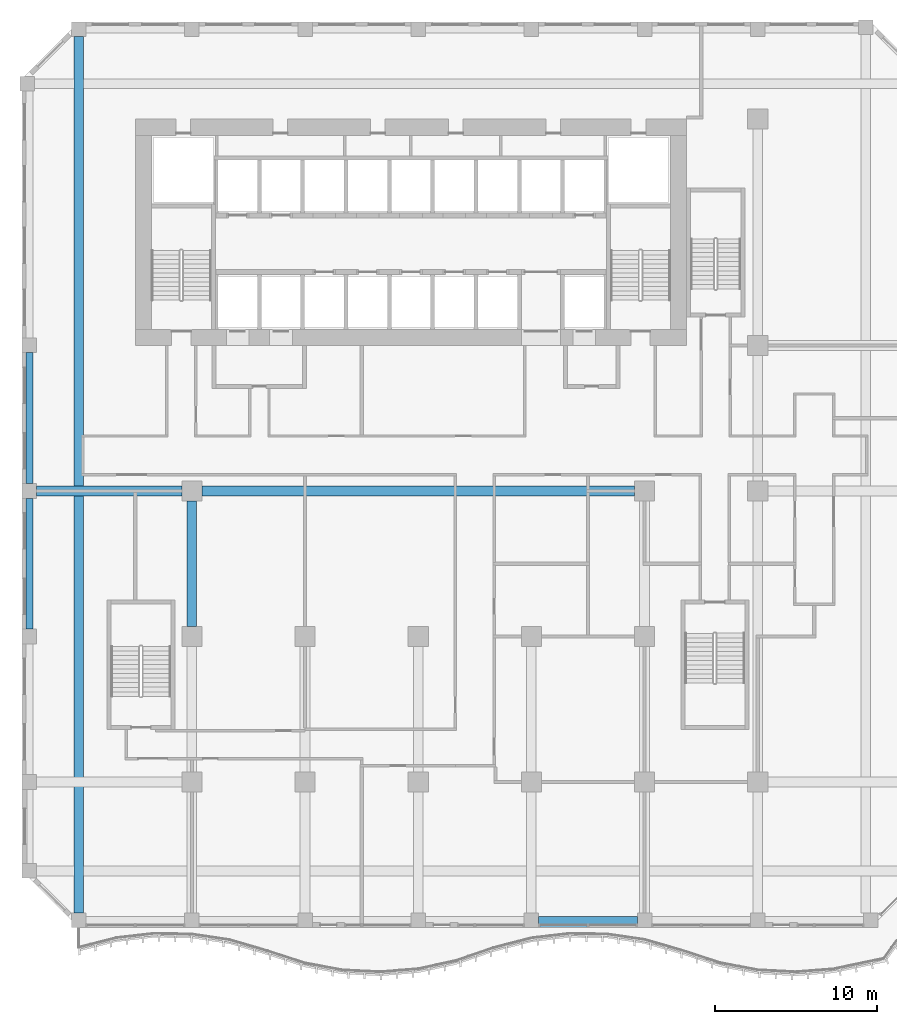
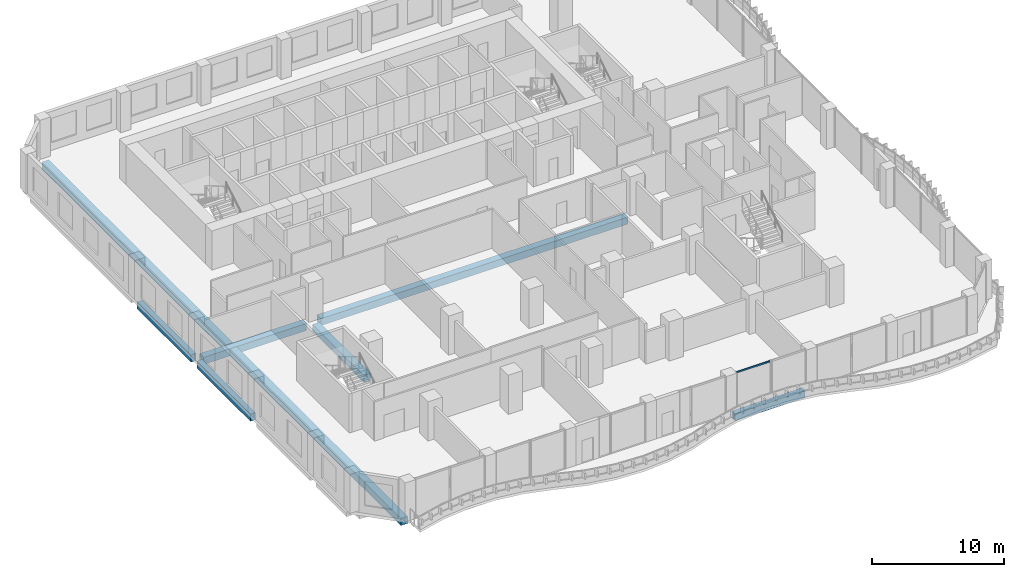
# One storey, part 5 of 21: 7 beams, 1 member, 1 element without a shape of its own.
"""IFC4 building model written with IfcOpenShell, lengths in metres."""

from ifc_helpers import new_model, si_unit, direction, frame, origin, origin_2d, place, context, subcontext, project, spatial, rectangle, extrude, source, transform, mapped, material, material_profile, profile_set, type_object, element, aggregate, save


model = new_model("IFC4")

# Units and contexts
model_context = context("Model", 3, precision=1e-05, world=origin(), true_north=direction((0.0, 1.0)))
body_context = subcontext(model_context, "Body", "Model", "MODEL_VIEW")
ifc_project = project(units=[si_unit("LENGTHUNIT", "METRE"), si_unit("AREAUNIT", "SQUARE_METRE"), si_unit("VOLUMEUNIT", "CUBIC_METRE"), si_unit("PLANEANGLEUNIT", "RADIAN"), si_unit("MASSUNIT", "GRAM", prefix="KILO")], contexts=[model_context])

# Site, building, storey
site_placement = place(None, origin())
site = spatial("IfcSite", under=ifc_project, at=site_placement, CompositionType="ELEMENT")
building_placement = place(site_placement, origin())
building = spatial("IfcBuilding", under=site, at=building_placement, Name="Kilnfold Tower and Market Hall", CompositionType="ELEMENT")
storey_placement = place(building_placement, frame((0.0, 0.0, 91.199951171875)))
storey = spatial("IfcBuildingStorey", under=building, at=storey_placement, Name="L21", CompositionType="ELEMENT", Elevation=91.199951171875)

# Beams
ifc_material_1 = material(Name="Concrete C45", Category="concrete")
ifc_material_profile_1 = material_profile(ifc_material_1, rectangle(XDim=0.449951171875, YDim=0.64990234375, at=origin_2d()), Name="RC 450x650")
ifc_profile_set_1 = profile_set([ifc_material_profile_1], Name="Concrete C45")
beam_type_1 = type_object("IfcBeamType", Name="EDGE BEAM 450X650 C45", PredefinedType="BEAM", material=ifc_profile_set_1)
shared_shape_1 = source(origin(), body_context, "Body", "SweptSolid", [
    extrude(rectangle(XDim=0.449951171875, YDim=0.64990234375, at=origin_2d()), origin(), (0.0, 0.0, 1.0), 6.10009765625),
])
beam_1_placement = place(storey_placement, frame((8.949951171875, -27.550048828125, -0.60498046875), z_axis=(1.0, 0.0, 0.0), x_axis=(0.0, 1.0, 0.0)))
element("IfcBeam", 1, at=beam_1_placement, inside=storey, type_object=beam_type_1, Name="Beam EB650-B2.64", PredefinedType="BEAM", context=body_context, shape_type="MappedRepresentation", body=[
    mapped(shared_shape_1, transform((0.0, 0.0, 0.0))),
])
shared_shape_2 = source(origin(), body_context, "Body", "SweptSolid", [
    extrude(rectangle(XDim=0.449951171875, YDim=0.64990234375, at=origin_2d()), origin(), (0.0, 0.0, 1.0), 8.10009765625),
])
for number, where, z_axis, x_axis, name in (
    (2, (-22.550048828125, -9.550048828125, -0.60498046875), (0.0, 1.0, 0.0), (-1.0, 0.0, 0.0), "Beam EB650-B2.39"),
    (3, (-22.550048828125, -0.550048828125, -0.60498046875), (0.0, 1.0, 0.0), (-1.0, 0.0, 0.0), "Beam EB650-B2.40"),
):
    element("IfcBeam", number, at=place(storey_placement, frame(where, z_axis=z_axis, x_axis=x_axis)), inside=storey, type_object=beam_type_1, Name=name, PredefinedType="BEAM", context=body_context, shape_type="MappedRepresentation", body=[
        mapped(shared_shape_2, transform((0.0, 0.0, 0.0))),
    ])
ifc_material_2 = material(Name="Concrete C45", Category="concrete")
ifc_material_profile_2 = material_profile(ifc_material_2, rectangle(XDim=0.60009765625, YDim=0.64990234375, at=origin_2d()), Name="RC 600x650")
ifc_profile_set_2 = profile_set([ifc_material_profile_2], Name="Concrete C45")
beam_type_2 = type_object("IfcBeamType", Name="BEAM 600X650 C45", PredefinedType="BEAM", material=ifc_profile_set_2)
shared_shape_3 = source(origin(), body_context, "Body", "SweptSolid", [
    extrude(rectangle(XDim=0.60009765625, YDim=0.64990234375, at=origin_2d()), origin(), (0.0, 0.0, 1.0), 54.2001953125),
])
beam_2_placement = place(storey_placement, frame((-19.5, -27.10009765625, -0.60498046875), z_axis=(0.0, 1.0, 0.0), x_axis=(-1.0, 0.0, 0.0)))
element("IfcBeam", 4, at=beam_2_placement, inside=storey, type_object=beam_type_2, Name="Beam BB650-B2.42", PredefinedType="BEAM", context=body_context, shape_type="MappedRepresentation", body=[
    mapped(shared_shape_3, transform((0.0, 0.0, 0.0))),
])
shared_shape_4 = source(origin(), body_context, "Body", "SweptSolid", [
    extrude(rectangle(XDim=0.60009765625, YDim=0.64990234375, at=origin_2d()), origin(), (0.0, 0.0, 1.0), 8.97509765625),
])
beam_3_placement = place(storey_placement, frame((-22.10009765625, -1.0, -0.60498046875), z_axis=(1.0, 0.0, 0.0), x_axis=(0.0, 1.0, 0.0)))
element("IfcBeam", 5, at=beam_3_placement, inside=storey, type_object=beam_type_2, Name="Beam BB650-B2.70", PredefinedType="BEAM", context=body_context, shape_type="MappedRepresentation", body=[
    mapped(shared_shape_4, transform((0.0, 0.0, 0.0))),
])
shared_shape_5 = source(origin(), body_context, "Body", "SweptSolid", [
    extrude(rectangle(XDim=0.60009765625, YDim=0.64990234375, at=origin_2d()), origin(), (0.0, 0.0, 1.0), 26.75),
])
beam_4_placement = place(storey_placement, frame((-11.875, -1.0, -0.60498046875), z_axis=(1.0, 0.0, 0.0), x_axis=(0.0, 1.0, 0.0)))
element("IfcBeam", 6, at=beam_4_placement, inside=storey, type_object=beam_type_2, Name="Beam BB650-B2.71", PredefinedType="BEAM", context=body_context, shape_type="MappedRepresentation", body=[
    mapped(shared_shape_5, transform((0.0, 0.0, 0.0))),
])
shared_shape_6 = source(origin(), body_context, "Body", "SweptSolid", [
    extrude(rectangle(XDim=0.60009765625, YDim=0.64990234375, at=origin_2d()), origin(), (0.0, 0.0, 1.0), 7.75),
])
beam_5_placement = place(storey_placement, frame((-12.5, -9.375, -0.60498046875), z_axis=(0.0, 1.0, 0.0), x_axis=(-1.0, 0.0, 0.0)))
element("IfcBeam", 7, at=beam_5_placement, inside=storey, type_object=beam_type_2, Name="Beam BB650-B2.84", PredefinedType="BEAM", context=body_context, shape_type="MappedRepresentation", body=[
    mapped(shared_shape_6, transform((0.0, 0.0, 0.0))),
])

# Curtain wall, member
ifc_material_3 = material(Name="Aluminium and double glazing", Category="aluminium")
curtain_wall_type = type_object("IfcCurtainWallType", Name="CW OF1 VALLEY GLAZING", PredefinedType="NOTDEFINED", material=ifc_material_3)
curtain_wall_placement = place(storey_placement, origin())
curtain_wall = element("IfcCurtainWall", 8, at=curtain_wall_placement, inside=storey, type_object=curtain_wall_type, Name="Curtain wall CW1 L21 S", PredefinedType="NOTDEFINED")
ifc_material_4 = material(Name="Aluminium", Category="aluminium")
ifc_material_profile_3 = material_profile(ifc_material_4, rectangle(XDim=0.06005859375, YDim=0.139892578125, at=origin_2d()), Name="TRANSOM 60x140")
ifc_profile_set_3 = profile_set([ifc_material_profile_3], Name="Aluminium")
member_type = type_object("IfcMemberType", Name="TRANSOM 60X140", PredefinedType="USERDEFINED", material=ifc_profile_set_3)
shared_shape_7 = source(origin(), body_context, "Body", "SweptSolid", [
    extrude(rectangle(XDim=0.06005859375, YDim=0.139892578125, at=origin_2d()), origin(), (0.0, 0.0, 1.0), 2.929931640625),
])
member_placement = place(storey_placement, frame((9.010009765625, -27.85009765625, 3.570068359375), z_axis=(1.0, 0.0, 0.0), x_axis=(0.0, 1.0, 0.0)))
member = element("IfcMember", 9, at=member_placement, type_object=member_type, Name="CW1 transom 1.2", ObjectType="TRANSOM", PredefinedType="USERDEFINED", context=body_context, shape_type="MappedRepresentation", body=[
    mapped(shared_shape_7, transform((0.0, 0.0, 0.0))),
])
aggregate(curtain_wall, [member])

save(model, "model.ifc")
